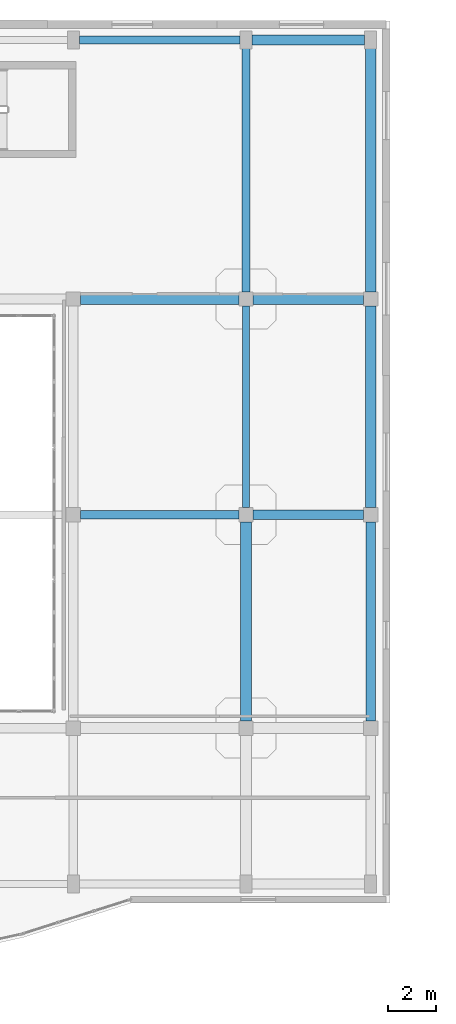
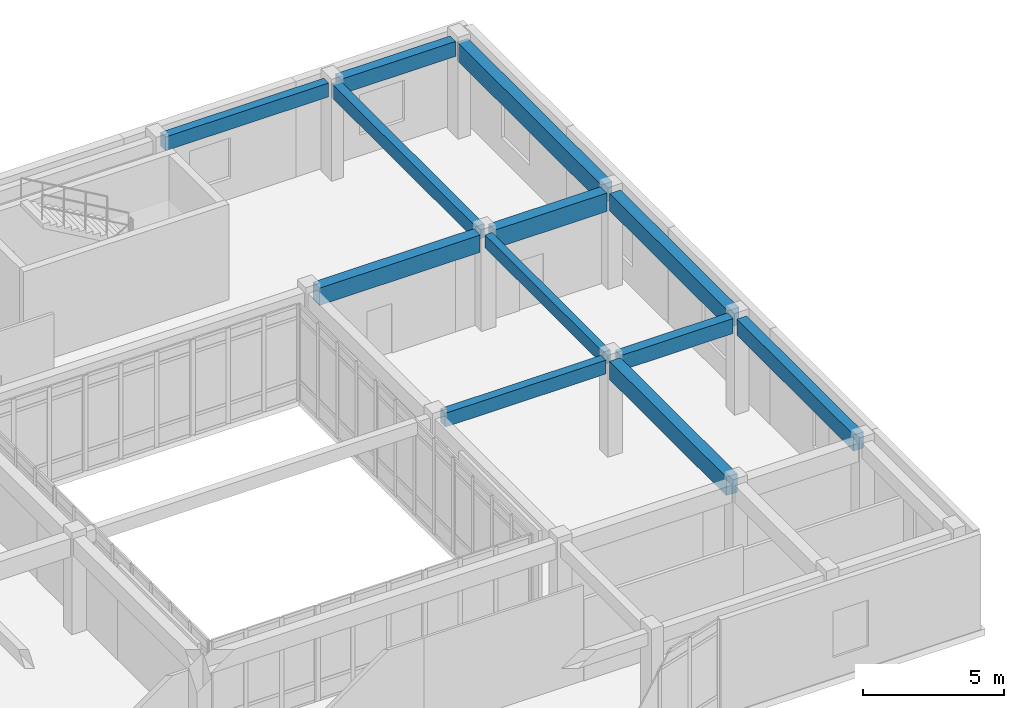
# One storey, part 103 of 142: 12 beams.
"""IFC4 building model written with IfcOpenShell, lengths in metres."""

from ifc_helpers import new_model, si_unit, direction, frame, origin, origin_2d, place, context, subcontext, project, spatial, rectangle, extrude, material, material_profile, profile_set, type_object, element, save


model = new_model("IFC4")

# Units and contexts
model_context = context("Model", 3, precision=1e-05, world=origin(), true_north=direction((0.0, 1.0)))
body_context = subcontext(model_context, "Body", "Model", "MODEL_VIEW")
ifc_project = project(units=[si_unit("LENGTHUNIT", "METRE"), si_unit("AREAUNIT", "SQUARE_METRE"), si_unit("VOLUMEUNIT", "CUBIC_METRE"), si_unit("PLANEANGLEUNIT", "RADIAN"), si_unit("MASSUNIT", "GRAM", prefix="KILO")], contexts=[model_context])

# Site, building, storey
site_placement = place(None, origin())
site = spatial("IfcSite", under=ifc_project, at=site_placement, CompositionType="ELEMENT")
building_placement = place(site_placement, origin())
building = spatial("IfcBuilding", under=site, at=building_placement, Name="Valcora Specialist Clinic", CompositionType="ELEMENT")
storey_placement = place(building_placement, frame((0.0, 0.0, 5.10009765625)))
storey = spatial("IfcBuildingStorey", under=building, at=storey_placement, Name="L01", CompositionType="ELEMENT", Elevation=5.10009765625)

# Beams
ifc_material = material(Name="Concrete C40/50", Category="concrete")
ifc_material_profile_1 = material_profile(ifc_material, rectangle(XDim=0.300048828125, YDim=0.550048828125, at=origin_2d()), Name="RC-BM-300X550")
ifc_profile_set_1 = profile_set([ifc_material_profile_1], Name="Concrete C40/50")
beam_type_1 = type_object("IfcBeamType", Name="TY-BM-RC300X550", PredefinedType="BEAM", material=ifc_profile_set_1)
beam_1_placement = place(storey_placement, frame((133.199951171875, 90.5, 3.869873046875), z_axis=(0.0, 1.0, 0.0), x_axis=(-1.0, 0.0, 0.0)))
element("IfcBeam", 1, at=beam_1_placement, inside=storey, type_object=beam_type_1, Name="Beam BM-L01-0689", PredefinedType="BEAM", context=body_context, shape_type="SweptSolid", body=[
    extrude(rectangle(XDim=0.300048828125, YDim=0.550048828125, at=origin_2d()), origin(), (0.0, 0.0, 1.0), 8.39990234375),
])
ifc_material_profile_2 = material_profile(ifc_material, rectangle(XDim=0.35009765625, YDim=0.60009765625, at=origin_2d()), Name="RC-BM-350X600")
ifc_profile_set_2 = profile_set([ifc_material_profile_2], Name="Concrete C40/50")
beam_type_2 = type_object("IfcBeamType", Name="TY-BM-RC350X600", PredefinedType="BEAM", material=ifc_profile_set_2)
beam_2_placement = place(storey_placement, frame((126.300048828125, 90.199951171875, 3.844970703125), z_axis=(1.0, 0.0, 0.0), x_axis=(0.0, 1.0, 0.0)))
element("IfcBeam", 2, at=beam_2_placement, inside=storey, type_object=beam_type_2, Name="Beam BM-L01-0638", PredefinedType="BEAM", context=body_context, shape_type="SweptSolid", body=[
    extrude(rectangle(XDim=0.35009765625, YDim=0.60009765625, at=origin_2d()), origin(), (0.0, 0.0, 1.0), 6.599853515625),
])
beam_3_placement = place(storey_placement, frame((126.25, 110.0, 3.844970703125), z_axis=(1.0, 0.0, 0.0), x_axis=(0.0, 1.0, 0.0)))
element("IfcBeam", 3, at=beam_3_placement, inside=storey, type_object=beam_type_2, Name="Beam BM-L01-0656", PredefinedType="BEAM", context=body_context, shape_type="SweptSolid", body=[
    extrude(rectangle(XDim=0.35009765625, YDim=0.60009765625, at=origin_2d()), origin(), (0.0, 0.0, 1.0), 6.699951171875),
])
beam_4_placement = place(storey_placement, frame((133.199951171875, 99.5, 3.844970703125), z_axis=(0.0, 1.0, 0.0), x_axis=(-1.0, 0.0, 0.0)))
element("IfcBeam", 4, at=beam_4_placement, inside=storey, type_object=beam_type_2, Name="Beam BM-L01-0690", PredefinedType="BEAM", context=body_context, shape_type="SweptSolid", body=[
    extrude(rectangle(XDim=0.35009765625, YDim=0.60009765625, at=origin_2d()), origin(), (0.0, 0.0, 1.0), 10.25),
])
ifc_material_profile_3 = material_profile(ifc_material, rectangle(XDim=0.39990234375, YDim=0.64990234375, at=origin_2d()), Name="RC-BM-400X650")
ifc_profile_set_3 = profile_set([ifc_material_profile_3], Name="Concrete C40/50")
beam_type_3 = type_object("IfcBeamType", Name="TY-BM-RC400X650", PredefinedType="BEAM", material=ifc_profile_set_3)
beam_5_placement = place(storey_placement, frame((133.5, 90.199951171875, 3.81982421875), z_axis=(1.0, 0.0, 0.0), x_axis=(0.0, 1.0, 0.0)))
element("IfcBeam", 5, at=beam_5_placement, inside=storey, type_object=beam_type_3, Name="Beam BM-L01-0639", PredefinedType="BEAM", context=body_context, shape_type="SweptSolid", body=[
    extrude(rectangle(XDim=0.39990234375, YDim=0.64990234375, at=origin_2d()), origin(), (0.0, 0.0, 1.0), 4.60009765625),
])
beam_6_placement = place(storey_placement, frame((133.449951171875, 110.0, 3.81982421875), z_axis=(1.0, 0.0, 0.0), x_axis=(0.0, 1.0, 0.0)))
element("IfcBeam", 6, at=beam_6_placement, inside=storey, type_object=beam_type_3, Name="Beam BM-L01-0657", PredefinedType="BEAM", context=body_context, shape_type="SweptSolid", body=[
    extrude(rectangle(XDim=0.39990234375, YDim=0.64990234375, at=origin_2d()), origin(), (0.0, 0.0, 1.0), 4.699951171875),
])
ifc_material_profile_4 = material_profile(ifc_material, rectangle(XDim=0.39990234375, YDim=0.699951171875, at=origin_2d()), Name="RC-BM-400X700")
ifc_profile_set_4 = profile_set([ifc_material_profile_4], Name="Concrete C40/50")
beam_type_4 = type_object("IfcBeamType", Name="TY-BM-RC400X700", PredefinedType="BEAM", material=ifc_profile_set_4)
beam_7_placement = place(storey_placement, frame((138.39990234375, 81.60009765625, 3.794921875), z_axis=(0.0, 1.0, 0.0), x_axis=(-1.0, 0.0, 0.0)))
element("IfcBeam", 7, at=beam_7_placement, inside=storey, type_object=beam_type_4, Name="Beam BM-L01-0692", PredefinedType="BEAM", context=body_context, shape_type="SweptSolid", body=[
    extrude(rectangle(XDim=0.39990234375, YDim=0.699951171875, at=origin_2d()), origin(), (0.0, 0.0, 1.0), 8.2998046875),
])
ifc_material_profile_5 = material_profile(ifc_material, rectangle(XDim=0.449951171875, YDim=0.75, at=origin_2d()), Name="RC-BM-450X750")
ifc_profile_set_5 = profile_set([ifc_material_profile_5], Name="Concrete C40/50")
beam_type_5 = type_object("IfcBeamType", Name="TY-BM-RC450X750", PredefinedType="BEAM", material=ifc_profile_set_5)
beam_8_placement = place(storey_placement, frame((126.300048828125, 99.199951171875, 3.77001953125), z_axis=(1.0, 0.0, 0.0), x_axis=(0.0, 1.0, 0.0)))
element("IfcBeam", 8, at=beam_8_placement, inside=storey, type_object=beam_type_5, Name="Beam BM-L01-0647", PredefinedType="BEAM", context=body_context, shape_type="SweptSolid", body=[
    extrude(rectangle(XDim=0.449951171875, YDim=0.75, at=origin_2d()), origin(), (0.0, 0.0, 1.0), 6.599853515625),
])
beam_9_placement = place(storey_placement, frame((138.39990234375, 90.5, 3.77001953125), z_axis=(0.0, 1.0, 0.0), x_axis=(-1.0, 0.0, 0.0)))
element("IfcBeam", 9, at=beam_9_placement, inside=storey, type_object=beam_type_5, Name="Beam BM-L01-0693", PredefinedType="BEAM", context=body_context, shape_type="SweptSolid", body=[
    extrude(rectangle(XDim=0.449951171875, YDim=0.75, at=origin_2d()), origin(), (0.0, 0.0, 1.0), 8.39990234375),
])
ifc_material_profile_6 = material_profile(ifc_material, rectangle(XDim=0.449951171875, YDim=0.800048828125, at=origin_2d()), Name="RC-BM-450X800")
ifc_profile_set_6 = profile_set([ifc_material_profile_6], Name="Concrete C40/50")
beam_type_6 = type_object("IfcBeamType", Name="TY-BM-RC450X800", PredefinedType="BEAM", material=ifc_profile_set_6)
beam_10_placement = place(storey_placement, frame((133.5, 99.199951171875, 3.744873046875), z_axis=(1.0, 0.0, 0.0), x_axis=(0.0, 1.0, 0.0)))
element("IfcBeam", 10, at=beam_10_placement, inside=storey, type_object=beam_type_6, Name="Beam BM-L01-0648", PredefinedType="BEAM", context=body_context, shape_type="SweptSolid", body=[
    extrude(rectangle(XDim=0.449951171875, YDim=0.800048828125, at=origin_2d()), origin(), (0.0, 0.0, 1.0), 4.60009765625),
])
beam_11_placement = place(storey_placement, frame((133.199951171875, 81.60009765625, 3.744873046875), z_axis=(0.0, 1.0, 0.0), x_axis=(-1.0, 0.0, 0.0)))
element("IfcBeam", 11, at=beam_11_placement, inside=storey, type_object=beam_type_6, Name="Beam BM-L01-0688", PredefinedType="BEAM", context=body_context, shape_type="SweptSolid", body=[
    extrude(rectangle(XDim=0.449951171875, YDim=0.800048828125, at=origin_2d()), origin(), (0.0, 0.0, 1.0), 8.2998046875),
])
beam_12_placement = place(storey_placement, frame((138.39990234375, 99.5, 3.744873046875), z_axis=(0.0, 1.0, 0.0), x_axis=(-1.0, 0.0, 0.0)))
element("IfcBeam", 12, at=beam_12_placement, inside=storey, type_object=beam_type_6, Name="Beam BM-L01-0694", PredefinedType="BEAM", context=body_context, shape_type="SweptSolid", body=[
    extrude(rectangle(XDim=0.449951171875, YDim=0.800048828125, at=origin_2d()), origin(), (0.0, 0.0, 1.0), 10.25),
])

save(model, "model.ifc")
